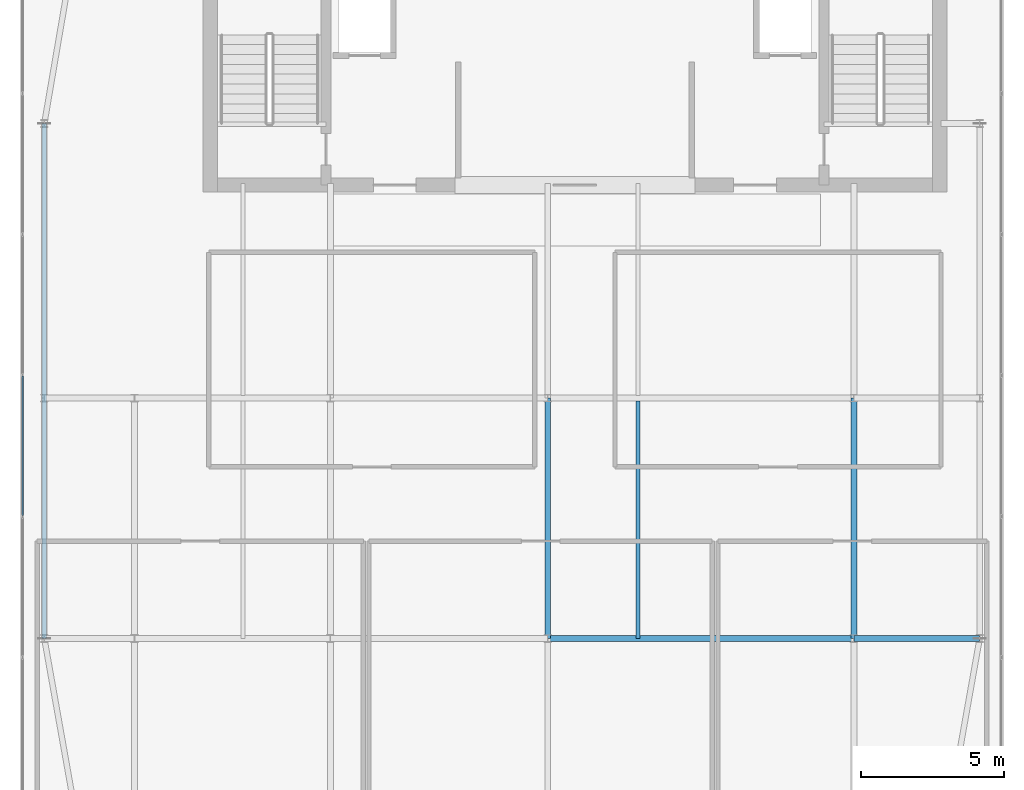
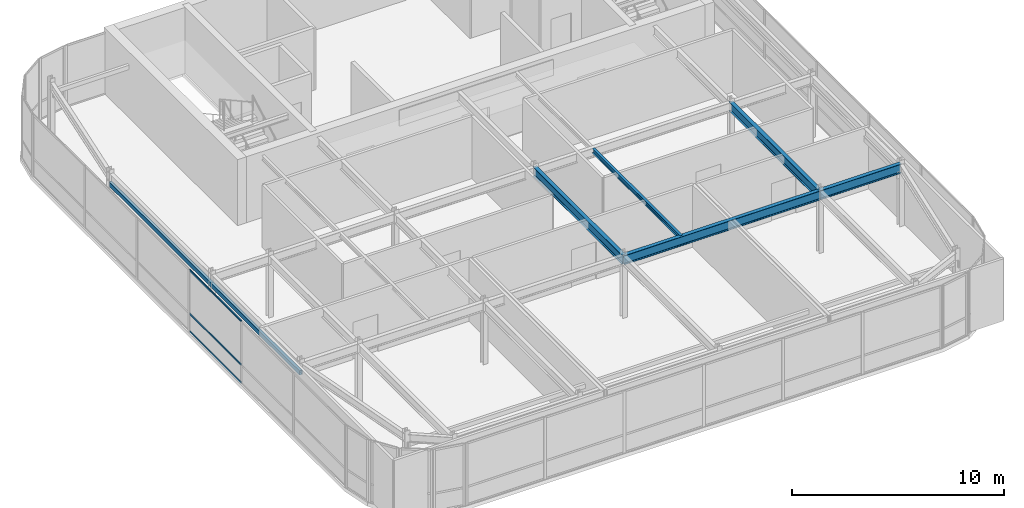
# One storey, part 15 of 36: 5 beams, 4 members, 1 element without a shape of its own.
"""IFC4 building model written with IfcOpenShell, lengths in metres."""

import ifcopenshell
import ifcopenshell.guid

model = None  # the IFC model being written
_history = None  # IfcOwnerHistory: only IFC2X3 demands one
_inside = {}  # id of a spatial element -> (the spatial element, [elements in it])
_under = {}  # id of a project, library or spatial element -> (it, [spatial elements below it])
_declared = {}  # id of a project -> (the project, [libraries it declares])
_typed = {}  # id of a type object -> (the type object, [elements of that type])
_made_of = {}  # id of a material, layer set ... -> (it, [elements and type objects made of it])


def new_model(schema):
    """Start an empty IFC model of exactly this schema.

    Asked for "IFC4X3", IfcOpenShell would pick the latest addendum, in which some entities
    have other attributes; the version numbers below select the first issue.
    IFC2X3 requires an IfcOwnerHistory on every rooted entity: one is made here for all.
    """
    global model, _history
    if schema == "IFC4X3":
        model = ifcopenshell.file(schema_version=(4, 3, 0, 0))
    else:
        model = ifcopenshell.file(schema=schema)
    _inside.clear()
    _under.clear()
    _declared.clear()
    _typed.clear()
    _made_of.clear()
    _history = None
    if model.schema == "IFC2X3":
        org = make("IfcOrganization", Name="unknown")
        user = make(
            "IfcPersonAndOrganization",
            ThePerson=make("IfcPerson", FamilyName="unknown"),
            TheOrganization=org,
        )
        app = make(
            "IfcApplication",
            ApplicationDeveloper=org,
            Version="unknown",
            ApplicationFullName="unknown",
            ApplicationIdentifier="unknown",
        )
        _history = make(
            "IfcOwnerHistory",
            OwningUser=user,
            OwningApplication=app,
            ChangeAction="ADDED",
            CreationDate=0,
        )
    return model


def make(cls, **values):
    """One entity of the class cls with the attributes given. An attribute that is None is left unset."""
    return model.create_entity(
        cls, **{name: value for name, value in values.items() if value is not None}
    )


def rooted(cls, **values):
    """An entity with a GlobalId (a new one), such as an element, a storey or a relation."""
    return make(cls, GlobalId=ifcopenshell.guid.new(), OwnerHistory=_history, **values)


def si_unit(unit_type, name, prefix=None):
    """IfcSIUnit, for example si_unit("LENGTHUNIT", "METRE", prefix="MILLI")."""
    return make("IfcSIUnit", UnitType=unit_type, Prefix=prefix, Name=name)


def assignment(units):
    """IfcUnitAssignment: the units of a project."""
    return None if units is None else make("IfcUnitAssignment", Units=units)


def point(xyz):
    """IfcCartesianPoint."""
    return None if xyz is None else make("IfcCartesianPoint", Coordinates=xyz)


def direction(xyz):
    """IfcDirection."""
    return None if xyz is None else make("IfcDirection", DirectionRatios=xyz)


def frame(location, z_axis=None, x_axis=None):
    """IfcAxis2Placement3D, a coordinate frame: its origin and axes. An axis left out is left unset."""
    return make(
        "IfcAxis2Placement3D",
        Location=point(location),
        Axis=direction(z_axis),
        RefDirection=direction(x_axis),
    )


def frame_2d(location, x_axis=None):
    """IfcAxis2Placement2D, a coordinate frame in the plane: its origin and x axis."""
    return make(
        "IfcAxis2Placement2D", Location=point(location), RefDirection=direction(x_axis)
    )


def origin():
    """The frame at (0, 0, 0) with its axes left unset."""
    return frame((0.0, 0.0, 0.0))


def origin_2d():
    """The frame at (0, 0) in the plane with its x axis left unset."""
    return frame_2d((0.0, 0.0))


def place(relative_to, where):
    """IfcLocalPlacement: puts the frame where relative to a parent placement (None: the world)."""
    return make(
        "IfcLocalPlacement", PlacementRelTo=relative_to, RelativePlacement=where
    )


def context(
    kind, dimensions, precision=None, world=None, true_north=None, identifier=None
):
    """IfcGeometricRepresentationContext, for example the 3D "Model" context."""
    return make(
        "IfcGeometricRepresentationContext",
        ContextIdentifier=identifier,
        ContextType=kind,
        CoordinateSpaceDimension=dimensions,
        Precision=precision,
        WorldCoordinateSystem=world,
        TrueNorth=true_north,
    )


def subcontext(parent, identifier, kind, view, scale=None):
    """IfcGeometricRepresentationSubContext, for example "Body" below "Model"."""
    return make(
        "IfcGeometricRepresentationSubContext",
        ContextIdentifier=identifier,
        ContextType=kind,
        ParentContext=parent,
        TargetScale=scale,
        TargetView=view,
    )


def project(units=None, contexts=None):
    """IfcProject with its units and contexts."""
    return rooted(
        "IfcProject",
        Name="project",
        RepresentationContexts=contexts,
        UnitsInContext=assignment(units),
    )


def spatial(cls, under=None, at=None, **own):
    """A site, building, storey or space (cls), placed at a placement, below another one or the project."""
    s = rooted(cls, ObjectPlacement=at, **own)
    if under is not None:
        _under.setdefault(under.id(), (under, []))[1].append(s)
    return s


def profile(cls, at=None, kind="AREA", **sizes):
    """A parametric profile (cls). Its sizes go by their IFC names, for example OverallWidth=200.0."""
    return make(cls, ProfileType=kind, Position=at, **sizes)


def hollow_rectangle(**sizes):
    """IfcRectangleHollowProfileDef."""
    return profile("IfcRectangleHollowProfileDef", **sizes)


def i_section(**sizes):
    """IfcIShapeProfileDef."""
    return profile("IfcIShapeProfileDef", **sizes)


def extrude(swept, where, along, depth):
    """IfcExtrudedAreaSolid: the profile swept, set in the frame where, extruded along a direction by depth."""
    return make(
        "IfcExtrudedAreaSolid",
        SweptArea=swept,
        Position=where,
        ExtrudedDirection=direction(along),
        Depth=depth,
    )


def shape(context_of_items, identifier, shape_type, items):
    """IfcShapeRepresentation: the items that make up one representation, for example the "Body"."""
    return make(
        "IfcShapeRepresentation",
        ContextOfItems=context_of_items,
        RepresentationIdentifier=identifier,
        RepresentationType=shape_type,
        Items=items,
    )


def source(mapping_origin, context_of_items, identifier, shape_type, items):
    """IfcRepresentationMap: a shape defined once, which mapped items show again and again."""
    return make(
        "IfcRepresentationMap",
        MappingOrigin=mapping_origin,
        MappedRepresentation=shape(context_of_items, identifier, shape_type, items),
    )


def transform(
    local_origin,
    x_axis=None,
    y_axis=None,
    z_axis=None,
    scale=None,
    scale2=None,
    scale3=None,
    uniform=True,
):
    """IfcCartesianTransformationOperator3D, or its non-uniform kind. x_axis, y_axis, z_axis: its Axis1, 2, 3."""
    if uniform:
        return make(
            "IfcCartesianTransformationOperator3D",
            Axis1=direction(x_axis),
            Axis2=direction(y_axis),
            LocalOrigin=point(local_origin),
            Scale=scale,
            Axis3=direction(z_axis),
        )
    return make(
        "IfcCartesianTransformationOperator3DnonUniform",
        Axis1=direction(x_axis),
        Axis2=direction(y_axis),
        LocalOrigin=point(local_origin),
        Scale=scale,
        Axis3=direction(z_axis),
        Scale2=scale2,
        Scale3=scale3,
    )


def mapped(mapping_source, mapping_target):
    """IfcMappedItem: shows the shape of a source again, moved by a transform."""
    return make(
        "IfcMappedItem", MappingSource=mapping_source, MappingTarget=mapping_target
    )


def material(Name=None, Category=None):
    """IfcMaterial."""
    return make("IfcMaterial", Name=Name, Category=Category)


def layer(
    of_material, thickness, ventilated=None, Name=None, Category=None, Priority=None
):
    """IfcMaterialLayer: one layer of a wall or slab, of a material (None: an air gap)."""
    return make(
        "IfcMaterialLayer",
        Material=of_material,
        LayerThickness=thickness,
        IsVentilated=ventilated,
        Name=Name,
        Category=Category,
        Priority=Priority,
    )


def layer_set(layers, Name=None):
    """IfcMaterialLayerSet."""
    return make("IfcMaterialLayerSet", MaterialLayers=layers, LayerSetName=Name)


def material_profile(
    of_material, cross_section, Name=None, Category=None, Priority=None
):
    """IfcMaterialProfile: a cross section and its material."""
    return make(
        "IfcMaterialProfile",
        Name=Name,
        Material=of_material,
        Profile=cross_section,
        Priority=Priority,
        Category=Category,
    )


def profile_set(profiles, Name=None, composite=None):
    """IfcMaterialProfileSet."""
    return make(
        "IfcMaterialProfileSet",
        Name=Name,
        MaterialProfiles=profiles,
        CompositeProfile=composite,
    )


def made_of(thing, what):
    """Note that an element or type object is made of a material, layer set ...; save() writes the relation."""
    if what is not None:
        _made_of.setdefault(what.id(), (what, []))[1].append(thing)
    return thing


def type_object(cls, material=None, **own):
    """A type object (cls), such as IfcWallType, which elements share."""
    return made_of(rooted(cls, **own), material)


def type_shapes(of_type, sources):
    """Give a type object the sources (RepresentationMaps) that its elements show as mapped items."""
    of_type.RepresentationMaps = sources


def element(
    cls,
    number,
    at=None,
    inside=None,
    cuts=None,
    type_object=None,
    material=None,
    context=None,
    identifier="Body",
    shape_type=None,
    held_by="IfcProductDefinitionShape",
    body=None,
    shapes=None,
    **own,
):
    """One element of the class cls, such as IfcWall. Its Tag is "e" and its number.

    at: its placement. inside: the storey or other place that contains it. cuts: it is an
    opening in that element (IfcRelVoidsElement). A single representation is given by context,
    identifier, shape_type and body (its items); several are given by shapes. held_by: the class
    of the entity that holds the representations. save() writes the other relations.
    """
    e = rooted(cls, Tag="e%d" % number, ObjectPlacement=at, **own)
    if body is not None:
        shapes = [shape(context, identifier, shape_type, body)]
    if shapes is not None:
        e.Representation = make(held_by, Representations=shapes)
    if inside is not None:
        _inside.setdefault(inside.id(), (inside, []))[1].append(e)
    if cuts is not None:
        rooted(
            "IfcRelVoidsElement", RelatingBuildingElement=cuts, RelatedOpeningElement=e
        )
    if type_object is not None:
        _typed.setdefault(type_object.id(), (type_object, []))[1].append(e)
    return made_of(e, material)


def aggregate(whole, parts):
    """IfcRelAggregates: a whole, such as a stair, and the parts it consists of."""
    return rooted("IfcRelAggregates", RelatingObject=whole, RelatedObjects=parts)


def save(model, path):
    """Write the relations noted so far, then the file.

    IfcRelAggregates (storeys below a building ...), IfcRelContainedInSpatialStructure (elements
    in a storey), IfcRelDefinesByType, IfcRelAssociatesMaterial and IfcRelDeclares: one each for
    every whole, place, type object, material and project.
    """
    for whole, parts in _under.values():
        aggregate(whole, parts)
    for where, things in _inside.values():
        rooted(
            "IfcRelContainedInSpatialStructure",
            RelatedElements=things,
            RelatingStructure=where,
        )
    for kind, things in _typed.values():
        rooted("IfcRelDefinesByType", RelatedObjects=things, RelatingType=kind)
    for what, things in _made_of.values():
        rooted("IfcRelAssociatesMaterial", RelatedObjects=things, RelatingMaterial=what)
    for by, libraries in _declared.values():
        rooted("IfcRelDeclares", RelatingContext=by, RelatedDefinitions=libraries)
    model.write(path)


model = new_model("IFC4")

# Units and contexts
model_context = context("Model", 3, precision=1e-05, world=origin(), true_north=direction((0.0, 1.0)))
body_context = subcontext(model_context, "Body", "Model", "MODEL_VIEW")
ifc_project = project(units=[si_unit("LENGTHUNIT", "METRE"), si_unit("AREAUNIT", "SQUARE_METRE"), si_unit("VOLUMEUNIT", "CUBIC_METRE"), si_unit("PLANEANGLEUNIT", "RADIAN"), si_unit("MASSUNIT", "GRAM", prefix="KILO")], contexts=[model_context])

# Site, building, storey
site_placement = place(None, origin())
site = spatial("IfcSite", under=ifc_project, at=site_placement, CompositionType="ELEMENT")
building_placement = place(site_placement, origin())
building = spatial("IfcBuilding", under=site, at=building_placement, Name="Tolvann Quenvar Hotel", CompositionType="ELEMENT")
storey_placement = place(building_placement, frame((0.0, 0.0, 306.14990234375)))
storey = spatial("IfcBuildingStorey", under=building, at=storey_placement, Name="L81", CompositionType="ELEMENT", Elevation=306.14990234375)

# Beams
ifc_material_1 = material(Name="Steel Grade 350", Category="steel")
ifc_material_profile_1 = material_profile(ifc_material_1, i_section(OverallWidth=0.208984375, OverallDepth=0.532958984375, WebThickness=0.01025390625, FlangeThickness=0.015625, FilletRadius=0.013916015625, at=origin_2d()), Name="530UB92")
ifc_profile_set_1 = profile_set([ifc_material_profile_1], Name="Steel Grade 350")
beam_type_1 = type_object("IfcBeamType", Name="BM_GIRD_530UB92", PredefinedType="BEAM", material=ifc_profile_set_1)
shared_shape_1 = source(origin(), body_context, "Body", "SweptSolid", [
    extrude(i_section(OverallWidth=0.208984375, OverallDepth=0.532958984375, WebThickness=0.01025390625, FlangeThickness=0.015625, FilletRadius=0.013916015625, at=origin_2d()), origin(), (0.0, 0.0, 1.0), 8.39990234375),
])
for number, where, z_axis, x_axis, name in (
    (1, (22.050048828125, 16.0, 3.3134765625), (0.0, 1.0, 0.0), (-1.0, 0.0, 0.0), "BM-L81-NS-E4-E5"),
    (2, (32.75, 16.0, 3.3134765625), (0.0, 1.0, 0.0), (-1.0, 0.0, 0.0), "BM-L81-NS-FP4-FP5"),
):
    element("IfcBeam", number, at=place(storey_placement, frame(where, z_axis=z_axis, x_axis=x_axis)), inside=storey, type_object=beam_type_1, Name=name, PredefinedType="BEAM", context=body_context, shape_type="MappedRepresentation", body=[
        mapped(shared_shape_1, transform((0.0, 0.0, 0.0), x_axis=(1.0, 0.0, 0.0), y_axis=(0.0, 1.0, 0.0), z_axis=(0.0, 0.0, 1.0), scale=1.0)),
    ])
shared_shape_2 = source(origin(), body_context, "Body", "SweptSolid", [
    extrude(i_section(OverallWidth=0.208984375, OverallDepth=0.532958984375, WebThickness=0.01025390625, FlangeThickness=0.015625, FilletRadius=0.013916015625, at=origin_2d()), origin(), (0.0, 0.0, 1.0), 10.699951171875),
])
beam_1_placement = place(storey_placement, frame((22.050048828125, 16.0, 3.3134765625), z_axis=(1.0, 0.0, 0.0), x_axis=(0.0, 1.0, 0.0)))
element("IfcBeam", 3, at=beam_1_placement, inside=storey, type_object=beam_type_1, Name="BM-L81-EW-4-E4-FP4", PredefinedType="BEAM", context=body_context, shape_type="MappedRepresentation", body=[
    mapped(shared_shape_2, transform((0.0, 0.0, 0.0), x_axis=(1.0, 0.0, 0.0), y_axis=(0.0, 1.0, 0.0), z_axis=(0.0, 0.0, 1.0), scale=1.0)),
])

# Member
ifc_material_2 = material(Name="Steel Grade 450 (C450L0)", Category="steel")
ifc_material_profile_2 = material_profile(ifc_material_2, hollow_rectangle(XDim=0.14990234375, YDim=0.25, WallThickness=0.009033203125, at=origin_2d()), Name="250x150x9RHS")
ifc_profile_set_2 = profile_set([ifc_material_profile_2], Name="Steel Grade 450 (C450L0)")
member_type_1 = type_object("IfcMemberType", Name="MEM_CROWN_250RHS", PredefinedType="USERDEFINED", material=ifc_profile_set_2)
shared_shape_3 = source(origin(), body_context, "Body", "SweptSolid", [
    extrude(hollow_rectangle(XDim=0.14990234375, YDim=0.25, WallThickness=0.009033203125, at=origin_2d()), origin(), (0.0, 0.0, 1.0), 18.0),
])
type_shapes(member_type_1, [shared_shape_3])
member_1_placement = place(storey_placement, frame((4.449951171875, 16.0, 2.93017578125), z_axis=(0.0, 1.0, 0.0), x_axis=(-1.0, 0.0, 0.0)))
element("IfcMember", 4, at=member_1_placement, inside=storey, type_object=member_type_1, Name="Crown Frame Ring Member (L81-2)", ObjectType="CROWN FRAME", PredefinedType="USERDEFINED", context=body_context, shape_type="MappedRepresentation", body=[
    mapped(shared_shape_3, transform((0.0, 0.0, 0.0), x_axis=(1.0, 0.0, 0.0), y_axis=(0.0, 1.0, 0.0), z_axis=(0.0, 0.0, 1.0), scale=1.0)),
])

# Beams
shared_shape_4 = source(origin(), body_context, "Body", "SweptSolid", [
    extrude(i_section(OverallWidth=0.208984375, OverallDepth=0.532958984375, WebThickness=0.01025390625, FlangeThickness=0.015625, FilletRadius=0.013916015625, at=origin_2d()), origin(), (0.0, 0.0, 1.0), 4.39990234375),
])
type_shapes(beam_type_1, [shared_shape_1, shared_shape_2, shared_shape_4])
beam_2_placement = place(storey_placement, frame((32.75, 16.0, 3.3134765625), z_axis=(1.0, 0.0, 0.0), x_axis=(0.0, 1.0, 0.0)))
element("IfcBeam", 5, at=beam_2_placement, inside=storey, type_object=beam_type_1, Name="BM-L81-EW-4-FP4-G4", PredefinedType="BEAM", context=body_context, shape_type="MappedRepresentation", body=[
    mapped(shared_shape_4, transform((0.0, 0.0, 0.0), x_axis=(1.0, 0.0, 0.0), y_axis=(0.0, 1.0, 0.0), z_axis=(0.0, 0.0, 1.0), scale=1.0)),
])
ifc_material_profile_3 = material_profile(ifc_material_1, i_section(OverallWidth=0.14599609375, OverallDepth=0.256103515625, WebThickness=0.00634765625, FlangeThickness=0.010986328125, FilletRadius=0.0087890625, at=origin_2d()), Name="250UB37")
ifc_profile_set_3 = profile_set([ifc_material_profile_3], Name="Steel Grade 350")
beam_type_2 = type_object("IfcBeamType", Name="BM_JOIST_250UB37", PredefinedType="JOIST", material=ifc_profile_set_3)
shared_shape_5 = source(origin(), body_context, "Body", "SweptSolid", [
    extrude(i_section(OverallWidth=0.14599609375, OverallDepth=0.256103515625, WebThickness=0.00634765625, FlangeThickness=0.010986328125, FilletRadius=0.0087890625, at=origin_2d()), origin(), (0.0, 0.0, 1.0), 8.301513671875),
])
type_shapes(beam_type_2, [shared_shape_5])
beam_3_placement = place(storey_placement, frame((25.199951171875, 16.0, 3.4521484375), z_axis=(0.0, 1.0, 0.0), x_axis=(-1.0, 0.0, 0.0)))
element("IfcBeam", 6, at=beam_3_placement, inside=storey, type_object=beam_type_2, Name="BJ-L81-252-160", PredefinedType="JOIST", context=body_context, shape_type="MappedRepresentation", body=[
    mapped(shared_shape_5, transform((0.0, 0.0, 0.0), x_axis=(1.0, 0.0, 0.0), y_axis=(0.0, 1.0, 0.0), z_axis=(0.0, 0.0, 1.0), scale=1.0)),
])

# Curtain wall, members
ifc_material_3 = material(Name="Thermally broken anodised architectural aluminium 6063-T6 and laminated low-E glass", Category="aluminium")
ifc_layer = layer(ifc_material_3, 0.179931640625)
ifc_layer_set = layer_set([ifc_layer], Name="Thermally broken anodised architectural aluminium 6063-T6 and laminated low-E glass")
curtain_wall_type = type_object("IfcCurtainWallType", Name="CW_SYS_LANT_06", PredefinedType="USERDEFINED", material=ifc_layer_set)
curtain_wall_placement = place(storey_placement, origin())
curtain_wall = element("IfcCurtainWall", 7, at=curtain_wall_placement, inside=storey, type_object=curtain_wall_type, Name="Curtain Wall CW-LANT-06 (CWR-L81-E19)", ObjectType="UNITISED CURTAIN WALL", PredefinedType="USERDEFINED")
ifc_material_4 = material(Name="Anodised architectural aluminium 6063-T6 framing", Category="aluminium")
ifc_material_profile_4 = material_profile(ifc_material_4, hollow_rectangle(XDim=0.050048828125, YDim=0.10009765625, WallThickness=0.0029296875, at=origin_2d()), Name="100x50x3RHS")
ifc_profile_set_4 = profile_set([ifc_material_profile_4], Name="Anodised architectural aluminium 6063-T6 framing")
member_type_2 = type_object("IfcMemberType", Name="CW_TRAN_100x50", PredefinedType="USERDEFINED", material=ifc_profile_set_4)
shared_shape_6 = source(origin(), body_context, "Body", "SweptSolid", [
    extrude(hollow_rectangle(XDim=0.050048828125, YDim=0.10009765625, WallThickness=0.0029296875, at=origin_2d()), origin(), (0.0, 0.0, 1.0), 4.862548828125),
])
type_shapes(member_type_2, [shared_shape_6])
member_2_placement = place(storey_placement, frame((3.68994140625, 25.16748046875, 0.025146484375), z_axis=(0.0, -1.0, 0.0), x_axis=(1.0, 0.0, 0.0)))
member_2 = element("IfcMember", 8, at=member_2_placement, type_object=member_type_2, Name="CW-LANT-06 transom 4.1", ObjectType="TRANSOM", PredefinedType="USERDEFINED", context=body_context, shape_type="MappedRepresentation", body=[
    mapped(shared_shape_6, transform((0.0, 0.0, 0.0), x_axis=(1.0, 0.0, 0.0), y_axis=(0.0, 1.0, 0.0), z_axis=(0.0, 0.0, 1.0), scale=1.0)),
])
member_3_placement = place(storey_placement, frame((3.68994140625, 25.16748046875, 1.050048828125), z_axis=(0.0, -1.0, 0.0), x_axis=(1.0, 0.0, 0.0)))
member_3 = element("IfcMember", 9, at=member_3_placement, type_object=member_type_2, Name="CW-LANT-06 transom 4.2", ObjectType="TRANSOM", PredefinedType="USERDEFINED", context=body_context, shape_type="MappedRepresentation", body=[
    mapped(shared_shape_6, transform((0.0, 0.0, 0.0), x_axis=(1.0, 0.0, 0.0), y_axis=(0.0, 1.0, 0.0), z_axis=(0.0, 0.0, 1.0), scale=1.0)),
])
member_4_placement = place(storey_placement, frame((3.68994140625, 25.16748046875, 3.55517578125), z_axis=(0.0, -1.0, 0.0), x_axis=(1.0, 0.0, 0.0)))
member_4 = element("IfcMember", 10, at=member_4_placement, type_object=member_type_2, Name="CW-LANT-06 transom 4.3", ObjectType="TRANSOM", PredefinedType="USERDEFINED", context=body_context, shape_type="MappedRepresentation", body=[
    mapped(shared_shape_6, transform((0.0, 0.0, 0.0), x_axis=(1.0, 0.0, 0.0), y_axis=(0.0, 1.0, 0.0), z_axis=(0.0, 0.0, 1.0), scale=1.0)),
])
aggregate(curtain_wall, [member_2, member_3, member_4])

save(model, "model.ifc")
